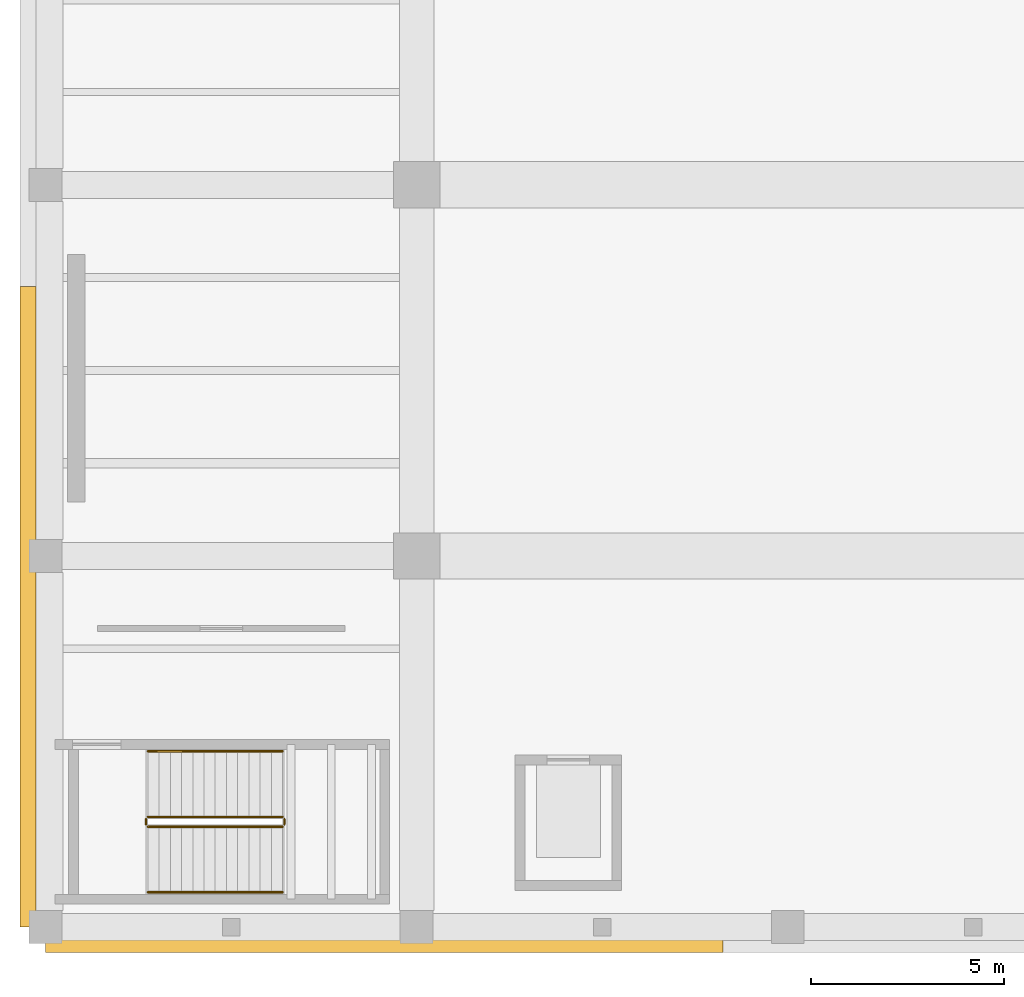
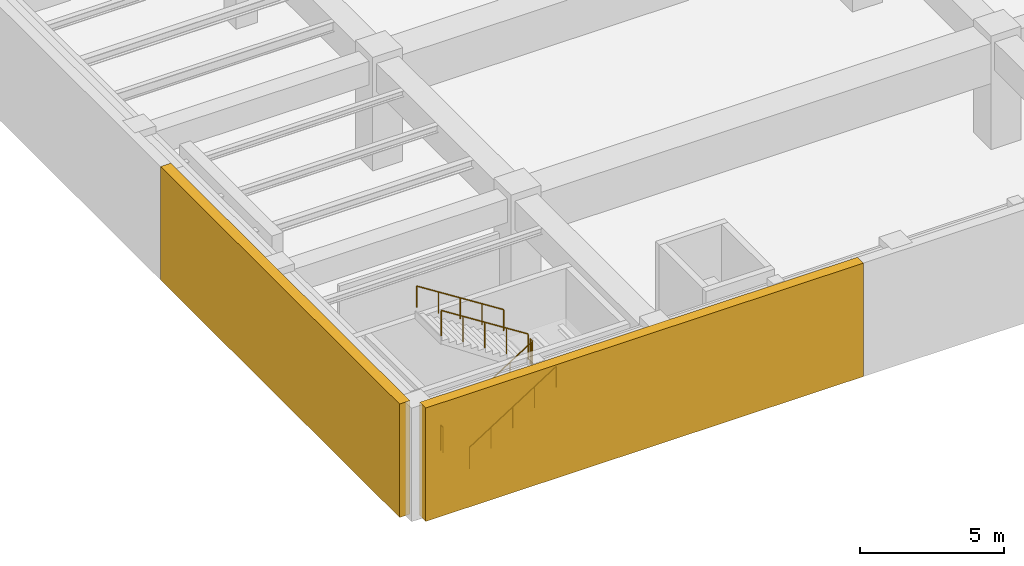
# One storey, part 32 of 45: 6 railings, 2 coverings.
"""IFC4 building model written with IfcOpenShell, lengths in metres."""

from ifc_helpers import new_model, si_unit, direction, frame, origin, origin_2d, place, context, subcontext, project, spatial, polyline, circle, outline, extrude, material, layer, layer_set, type_object, element, save


model = new_model("IFC4")

# Units and contexts
model_context = context("Model", 3, precision=1e-05, world=origin(), true_north=direction((0.0, 1.0)))
body_context = subcontext(model_context, "Body", "Model", "MODEL_VIEW")
ifc_project = project(units=[si_unit("LENGTHUNIT", "METRE"), si_unit("AREAUNIT", "SQUARE_METRE"), si_unit("VOLUMEUNIT", "CUBIC_METRE"), si_unit("PLANEANGLEUNIT", "RADIAN"), si_unit("MASSUNIT", "GRAM", prefix="KILO")], contexts=[model_context])

# Site, building, storey
site_placement = place(None, origin())
site = spatial("IfcSite", under=ifc_project, at=site_placement, CompositionType="ELEMENT")
building_placement = place(site_placement, origin())
building = spatial("IfcBuilding", under=site, at=building_placement, Name="Mavantir Sound Aquarium", CompositionType="ELEMENT")
storey_placement = place(building_placement, frame((0.0, 0.0, -4.800048828125)))
storey = spatial("IfcBuildingStorey", under=building, at=storey_placement, Name="B1", CompositionType="ELEMENT", Elevation=-4.800048828125)

# Coverings
ifc_material_1 = material(Name="Honed Coral-Limestone & Glazed Terracotta Rainscreen Cladding", Category="masonry")
ifc_layer = layer(ifc_material_1, 0.06005859375, Name="Honed Coral-Limestone & Glazed Terracotta Rainscreen Cladding")
ifc_layer_set = layer_set([ifc_layer], Name="Honed Coral-Limestone & Glazed Terracotta Rainscreen Cladding")
covering_type = type_object("IfcCoveringType", Name="COV-CLAD-TC", PredefinedType="CLADDING", material=ifc_layer_set)
covering_1_placement = place(storey_placement, origin())
element("IfcCovering", 1, at=covering_1_placement, inside=storey, type_object=covering_type, Name="B1 rusticated coral-stone plinth cladding 42", PredefinedType="CLADDING", context=body_context, shape_type="SweptSolid", body=[
    extrude(outline(polyline([(-0.25, 16.5712890625), (-0.25, 0.0), (-0.659912109375, 0.0), (-0.659912109375, 16.5712890625), (-0.25, 16.5712890625)])), origin(), (0.0, 0.0, 1.0), 4.800048828125),
])
covering_2_placement = place(storey_placement, origin())
element("IfcCovering", 2, at=covering_2_placement, inside=storey, type_object=covering_type, Name="B1 rusticated coral-stone plinth cladding 43", PredefinedType="CLADDING", context=body_context, shape_type="SweptSolid", body=[
    extrude(outline(polyline([(0.0, -0.25), (17.52001953125, -0.25), (17.52001953125, -0.659912109375), (0.0, -0.659912109375), (0.0, -0.25)])), origin(), (0.0, 0.0, 1.0), 4.800048828125),
])

# Railings
ifc_material_2 = material(Name="Stainless Steel 316 and Laminated Glass Guardrail", Category="steel")
railing_type_1 = type_object("IfcRailingType", Name="RL-GUARD-110", PredefinedType="GUARDRAIL", material=ifc_material_2)
railing_1_placement = place(storey_placement, frame((2.64990234375, 2.60009765625, 0.1845703125)))
element("IfcRailing", 3, at=railing_1_placement, inside=storey, type_object=railing_type_1, Name="B1 ST3 stair guard 1", PredefinedType="GUARDRAIL", context=body_context, shape_type="SweptSolid", body=[
    extrude(circle(Radius=0.02392578125, at=origin_2d()), frame((0.0, 0.0, 1.076171875), z_axis=(0.843546938479, 0.0, 0.53705545578), x_axis=(0.0, 1.0, 0.0)), (0.0, 0.0, 1.0), 4.12548828125),
    extrude(circle(Radius=0.02099609375, at=origin_2d()), origin(), (0.0, 0.0, 1.0), 1.052001953125),
    extrude(circle(Radius=0.02099609375, at=origin_2d()), frame((0.8701171875, 0.0, 0.553955078125)), (0.0, 0.0, 1.0), 1.052001953125),
    extrude(circle(Radius=0.02099609375, at=origin_2d()), frame((1.739990234375, 0.0, 1.10791015625)), (0.0, 0.0, 1.0), 1.052001953125),
    extrude(circle(Radius=0.02099609375, at=origin_2d()), frame((2.60986328125, 0.0, 1.66162109375)), (0.0, 0.0, 1.0), 1.052001953125),
    extrude(circle(Radius=0.02099609375, at=origin_2d()), frame((3.47998046875, 0.0, 2.215576171875)), (0.0, 0.0, 1.0), 1.052001953125),
])
railing_2_placement = place(storey_placement, frame((6.179931640625, 2.64990234375, 2.400146484375)))
element("IfcRailing", 4, at=railing_2_placement, inside=storey, type_object=railing_type_1, Name="B1 ST3 stair guard 2", PredefinedType="GUARDRAIL", context=body_context, shape_type="SweptSolid", body=[
    extrude(circle(Radius=0.02392578125, at=origin_2d()), frame((0.0, 0.0, 1.076171875), z_axis=(0.0, 1.0, 0.0), x_axis=(-1.0, 0.0, 0.0)), (0.0, 0.0, 1.0), 0.150146484375),
    extrude(circle(Radius=0.02099609375, at=origin_2d()), origin(), (0.0, 0.0, 1.0), 1.052001953125),
    extrude(circle(Radius=0.02099609375, at=origin_2d()), frame((0.0, 0.150146484375, 0.0)), (0.0, 0.0, 1.0), 1.052001953125),
])
railing_3_placement = place(storey_placement, frame((6.1298828125, 2.85009765625, 2.584716796875)))
element("IfcRailing", 5, at=railing_3_placement, inside=storey, type_object=railing_type_1, Name="B1 ST3 stair guard 3", PredefinedType="GUARDRAIL", context=body_context, shape_type="SweptSolid", body=[
    extrude(circle(Radius=0.02392578125, at=origin_2d()), frame((0.0, 0.0, 1.076171875), z_axis=(-0.843573748531, 0.0, 0.537013343214), x_axis=(0.0, -1.0, 0.0)), (0.0, 0.0, 1.0), 4.125244140625),
    extrude(circle(Radius=0.02099609375, at=origin_2d()), origin(), (0.0, 0.0, 1.0), 1.052001953125),
    extrude(circle(Radius=0.02099609375, at=origin_2d()), frame((-0.8701171875, 0.0, 0.5537109375)), (0.0, 0.0, 1.0), 1.052001953125),
    extrude(circle(Radius=0.02099609375, at=origin_2d()), frame((-1.739990234375, 0.0, 1.107666015625)), (0.0, 0.0, 1.0), 1.052001953125),
    extrude(circle(Radius=0.02099609375, at=origin_2d()), frame((-2.60986328125, 0.0, 1.66162109375)), (0.0, 0.0, 1.0), 1.052001953125),
    extrude(circle(Radius=0.02099609375, at=origin_2d()), frame((-3.47998046875, 0.0, 2.21533203125)), (0.0, 0.0, 1.0), 1.052001953125),
])
railing_4_placement = place(storey_placement, frame((2.60009765625, 2.64990234375, 0.0)))
element("IfcRailing", 6, at=railing_4_placement, inside=storey, type_object=railing_type_1, Name="B1 ST3 stair guard 4", PredefinedType="GUARDRAIL", context=body_context, shape_type="SweptSolid", body=[
    extrude(circle(Radius=0.02392578125, at=origin_2d()), frame((0.0, 0.0, 1.076171875), z_axis=(0.0, 1.0, 0.0), x_axis=(-1.0, 0.0, 0.0)), (0.0, 0.0, 1.0), 0.150146484375),
    extrude(circle(Radius=0.02099609375, at=origin_2d()), origin(), (0.0, 0.0, 1.0), 1.052001953125),
    extrude(circle(Radius=0.02099609375, at=origin_2d()), frame((0.0, 0.150146484375, 0.0)), (0.0, 0.0, 1.0), 1.052001953125),
])
ifc_material_3 = material(Name="Brushed Stainless Steel 316 Handrail", Category="steel")
railing_type_2 = type_object("IfcRailingType", Name="RL-HR-90", PredefinedType="HANDRAIL", material=ifc_material_3)
railing_5_placement = place(storey_placement, frame((2.64990234375, 0.89990234375, 0.36962890625)))
element("IfcRailing", 7, at=railing_5_placement, inside=storey, type_object=railing_type_2, Name="B1 ST3 stair handrail 1", PredefinedType="HANDRAIL", context=body_context, shape_type="SweptSolid", body=[
    extrude(circle(Radius=0.02392578125, at=origin_2d()), frame((0.0, 0.0, 0.89111328125), z_axis=(0.843573748531, 0.0, 0.537013343214), x_axis=(0.0, 1.0, 0.0)), (0.0, 0.0, 1.0), 4.125244140625),
    extrude(circle(Radius=0.02099609375, at=origin_2d()), origin(), (0.0, 0.0, 1.0), 0.866943359375),
    extrude(circle(Radius=0.02099609375, at=origin_2d()), frame((0.8701171875, 0.0, 0.5537109375)), (0.0, 0.0, 1.0), 0.866943359375),
    extrude(circle(Radius=0.02099609375, at=origin_2d()), frame((1.739990234375, 0.0, 1.107666015625)), (0.0, 0.0, 1.0), 0.866943359375),
    extrude(circle(Radius=0.02099609375, at=origin_2d()), frame((2.60986328125, 0.0, 1.66162109375)), (0.0, 0.0, 1.0), 0.866943359375),
    extrude(circle(Radius=0.02099609375, at=origin_2d()), frame((3.47998046875, 0.0, 2.21533203125)), (0.0, 0.0, 1.0), 0.866943359375),
])
railing_6_placement = place(storey_placement, frame((6.1298828125, 4.550048828125, 2.769775390625)))
element("IfcRailing", 8, at=railing_6_placement, inside=storey, type_object=railing_type_2, Name="B1 ST3 stair handrail 2", PredefinedType="HANDRAIL", context=body_context, shape_type="SweptSolid", body=[
    extrude(circle(Radius=0.02392578125, at=origin_2d()), frame((0.0, 0.0, 0.89111328125), z_axis=(-0.843573748531, 0.0, 0.537013343214), x_axis=(0.0, -1.0, 0.0)), (0.0, 0.0, 1.0), 4.125244140625),
    extrude(circle(Radius=0.02099609375, at=origin_2d()), origin(), (0.0, 0.0, 1.0), 0.866943359375),
    extrude(circle(Radius=0.02099609375, at=origin_2d()), frame((-0.8701171875, 0.0, 0.5537109375)), (0.0, 0.0, 1.0), 0.866943359375),
    extrude(circle(Radius=0.02099609375, at=origin_2d()), frame((-1.739990234375, 0.0, 1.107666015625)), (0.0, 0.0, 1.0), 0.866943359375),
    extrude(circle(Radius=0.02099609375, at=origin_2d()), frame((-2.60986328125, 0.0, 1.66162109375)), (0.0, 0.0, 1.0), 0.866943359375),
    extrude(circle(Radius=0.02099609375, at=origin_2d()), frame((-3.47998046875, 0.0, 2.21533203125)), (0.0, 0.0, 1.0), 0.866943359375),
])

save(model, "model.ifc")
